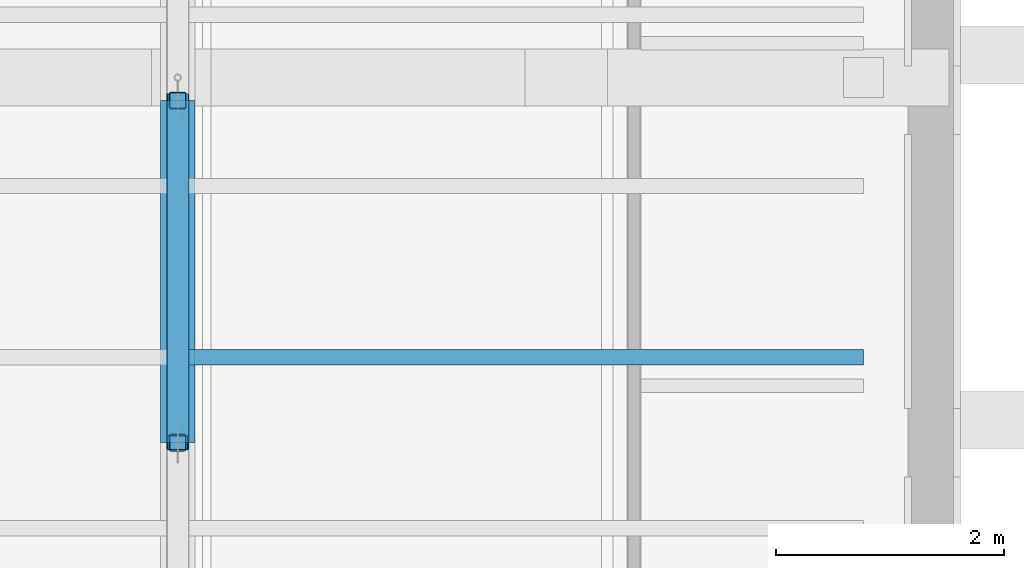
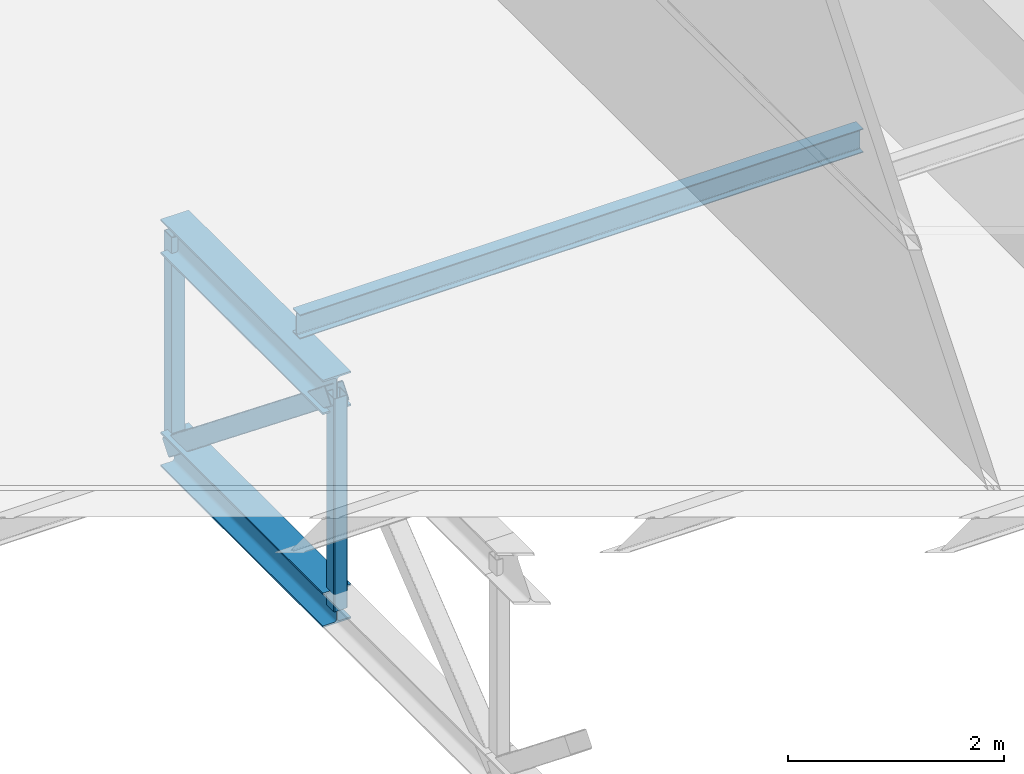
# One storey, part 26 of 55: 5 members, 1 beam.
"""IFC4 building model written with IfcOpenShell, lengths in metres."""

from ifc_helpers import new_model, si_unit, direction, frame, origin, origin_2d, place, context, subcontext, project, spatial, hollow_rectangle, i_section, extrude, material, material_profile, profile_set, type_object, element, save


model = new_model("IFC4")

# Units and contexts
model_context = context("Model", 3, precision=1e-05, world=origin(), true_north=direction((0.0, 1.0)))
body_context = subcontext(model_context, "Body", "Model", "MODEL_VIEW")
ifc_project = project(units=[si_unit("LENGTHUNIT", "METRE"), si_unit("AREAUNIT", "SQUARE_METRE"), si_unit("VOLUMEUNIT", "CUBIC_METRE"), si_unit("PLANEANGLEUNIT", "RADIAN"), si_unit("MASSUNIT", "GRAM", prefix="KILO")], contexts=[model_context])

# Site, building, storey
site_placement = place(None, origin())
site = spatial("IfcSite", under=ifc_project, at=site_placement, CompositionType="ELEMENT")
building_placement = place(site_placement, origin())
building = spatial("IfcBuilding", under=site, at=building_placement, Name="Lunette Opera House", CompositionType="ELEMENT")
storey_placement = place(building_placement, frame((0.0, 0.0, 34.0)))
storey = spatial("IfcBuildingStorey", under=building, at=storey_placement, Name="L06", CompositionType="ELEMENT", Elevation=34.0)

# Members
ifc_material_1 = material(Name="Steel S355", Category="steel")
ifc_material_profile_1 = material_profile(ifc_material_1, i_section(OverallWidth=0.300048828125, OverallDepth=0.389892578125, WebThickness=0.010986328125, FlangeThickness=0.01904296875, FilletRadius=0.027099609375, at=origin_2d()), Name="HEA 400")
ifc_profile_set_1 = profile_set([ifc_material_profile_1], Name="Steel S355")
member_type_1 = type_object("IfcMemberType", Name="CHORD HEA 400", PredefinedType="CHORD", material=ifc_profile_set_1)
for number, where, z_axis, x_axis, name in (
    (1, (102.0, 111.0, -0.6650390625), (0.0, 1.0, 0.0), (-1.0, 0.0, 0.0), "mem-ST-L06-ST-TR03-TC6"),
    (2, (102.0, 111.0, -3.06494140625), (0.0, 1.0, 0.0), (-1.0, 0.0, 0.0), "mem-ST-L06-ST-TR03-BC6"),
):
    element("IfcMember", number, at=place(storey_placement, frame(where, z_axis=z_axis, x_axis=x_axis)), inside=storey, type_object=member_type_1, Name=name, PredefinedType="CHORD", context=body_context, shape_type="SweptSolid", body=[
        extrude(i_section(OverallWidth=0.300048828125, OverallDepth=0.389892578125, WebThickness=0.010986328125, FlangeThickness=0.01904296875, FilletRadius=0.027099609375, at=origin_2d()), origin(), (0.0, 0.0, 1.0), 3.0),
    ])
ifc_material_2 = material(Name="Steel S355", Category="steel")
ifc_material_profile_2 = material_profile(ifc_material_2, hollow_rectangle(XDim=0.199951171875, YDim=0.199951171875, WallThickness=0.008056640625, InnerFilletRadius=0.008056640625, OuterFilletRadius=0.01611328125, at=origin_2d()), Name="RHS 200X200X8")
ifc_profile_set_2 = profile_set([ifc_material_profile_2], Name="Steel S355")
member_type_2 = type_object("IfcMemberType", Name="DIAGONAL RHS 200X200X8", PredefinedType="BRACE", material=ifc_profile_set_2)
member_placement = place(storey_placement, frame((102.0, 111.0, -0.6650390625), z_axis=(0.0, 0.780881208953, -0.624679547852), x_axis=(-1.0, 0.0, 0.0)))
element("IfcMember", 3, at=member_placement, inside=storey, type_object=member_type_2, Name="mem-ST-L06-ST-TR03-TD6", PredefinedType="BRACE", context=body_context, shape_type="SweptSolid", body=[
    extrude(hollow_rectangle(XDim=0.199951171875, YDim=0.199951171875, WallThickness=0.008056640625, InnerFilletRadius=0.008056640625, OuterFilletRadius=0.01611328125, at=origin_2d()), origin(), (0.0, 0.0, 1.0), 3.841796875),
])

# Beam
ifc_material_3 = material(Name="Steel S355", Category="steel")
ifc_material_profile_3 = material_profile(ifc_material_3, i_section(OverallWidth=0.135009765625, OverallDepth=0.27001953125, WebThickness=0.006591796875, FlangeThickness=0.01025390625, FilletRadius=0.014892578125, at=origin_2d()), Name="IPE 270")
ifc_profile_set_3 = profile_set([ifc_material_profile_3], Name="Steel S355")
beam_type = type_object("IfcBeamType", Name="STEEL BEAM IPE 270", PredefinedType="BEAM", material=ifc_profile_set_3)
beam_placement = place(storey_placement, frame((102.0, 111.75, -0.3349609375), z_axis=(1.0, 0.0, 0.0), x_axis=(0.0, 1.0, 0.0)))
element("IfcBeam", 4, at=beam_placement, inside=storey, type_object=beam_type, Name="beam-ST-L06-GRID-11175-4", PredefinedType="BEAM", context=body_context, shape_type="SweptSolid", body=[
    extrude(i_section(OverallWidth=0.135009765625, OverallDepth=0.27001953125, WebThickness=0.006591796875, FlangeThickness=0.01025390625, FilletRadius=0.014892578125, at=origin_2d()), origin(), (0.0, 0.0, 1.0), 6.010009765625),
])

# Members
ifc_material_4 = material(Name="Steel S355", Category="steel")
ifc_material_profile_4 = material_profile(ifc_material_4, hollow_rectangle(XDim=0.14990234375, YDim=0.14990234375, WallThickness=0.008056640625, InnerFilletRadius=0.008056640625, OuterFilletRadius=0.01611328125, at=origin_2d()), Name="RHS 150X150X8")
ifc_profile_set_4 = profile_set([ifc_material_profile_4], Name="Steel S355")
member_type_3 = type_object("IfcMemberType", Name="VERTICAL RHS 150X150X8", PredefinedType="POST", material=ifc_profile_set_4)
for number, where, z_axis, x_axis, name in (
    (5, (102.0, 111.0, -3.06494140625), (0.0, 0.0, 1.0), (1.0, 0.0, 0.0), "mem-ST-L06-ST-TR03-TV6"),
    (6, (102.0, 114.0, -3.06494140625), (0.0, 0.0, 1.0), (1.0, 0.0, 0.0), "mem-ST-L06-ST-TR03-TV7"),
):
    element("IfcMember", number, at=place(storey_placement, frame(where, z_axis=z_axis, x_axis=x_axis)), inside=storey, type_object=member_type_3, Name=name, PredefinedType="POST", context=body_context, shape_type="SweptSolid", body=[
        extrude(hollow_rectangle(XDim=0.14990234375, YDim=0.14990234375, WallThickness=0.008056640625, InnerFilletRadius=0.008056640625, OuterFilletRadius=0.01611328125, at=origin_2d()), origin(), (0.0, 0.0, 1.0), 2.39990234375),
    ])

save(model, "model.ifc")
